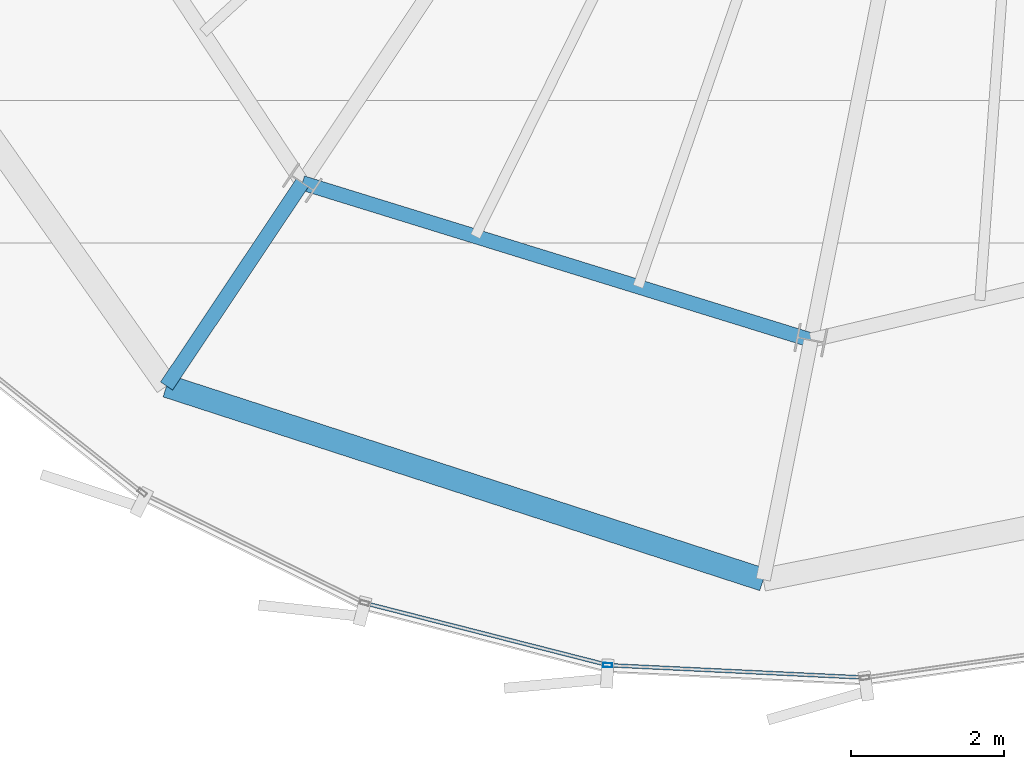
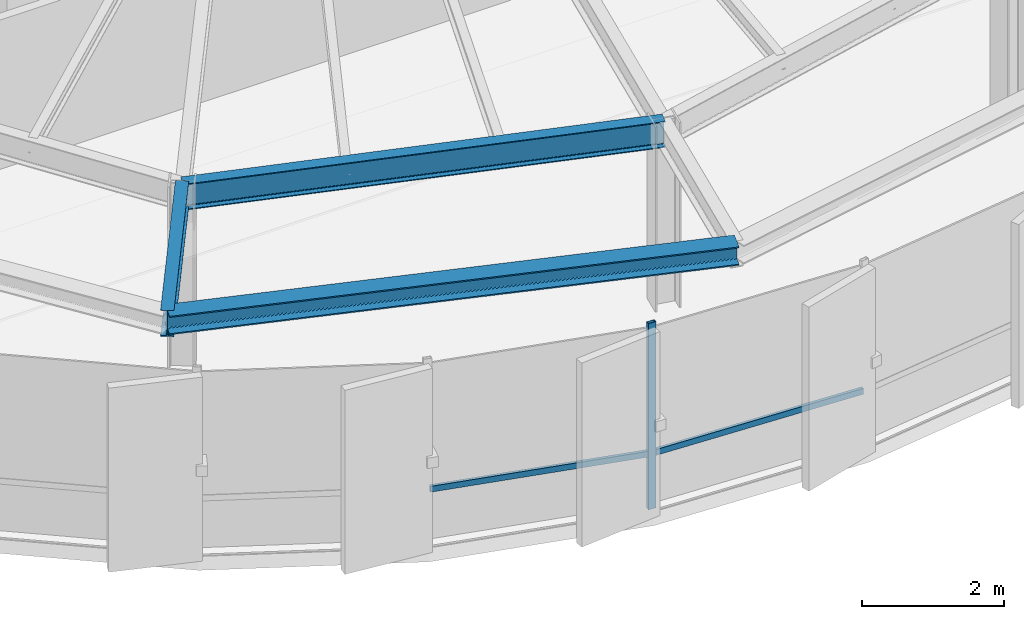
# One storey, part 3 of 33: 3 beams, 3 members, 1 element without a shape of its own.
"""IFC4 building model written with IfcOpenShell, lengths in metres."""

from ifc_helpers import new_model, si_unit, direction, frame, origin, origin_2d, place, context, subcontext, project, spatial, hollow_rectangle, i_section, extrude, source, transform, mapped, material, layer, layer_set, material_profile, profile_set, type_object, element, aggregate, save


model = new_model("IFC4")

# Units and contexts
model_context = context("Model", 3, precision=1e-05, world=origin(), true_north=direction((0.0, 1.0)))
body_context = subcontext(model_context, "Body", "Model", "MODEL_VIEW")
ifc_project = project(units=[si_unit("LENGTHUNIT", "METRE"), si_unit("AREAUNIT", "SQUARE_METRE"), si_unit("VOLUMEUNIT", "CUBIC_METRE"), si_unit("PLANEANGLEUNIT", "RADIAN"), si_unit("MASSUNIT", "GRAM", prefix="KILO"), si_unit("THERMODYNAMICTEMPERATUREUNIT", "KELVIN")], contexts=[model_context])

# Site, building, storey
site_placement = place(None, origin())
site = spatial("IfcSite", under=ifc_project, at=site_placement, CompositionType="ELEMENT")
building_placement = place(site_placement, origin())
building = spatial("IfcBuilding", under=site, at=building_placement, Name="Kethvar Cultural Tower", CompositionType="ELEMENT")
storey_placement = place(building_placement, frame((0.0, 0.0, 266.35009765625)))
storey = spatial("IfcBuildingStorey", under=building, at=storey_placement, Name="L70", CompositionType="ELEMENT", Elevation=266.35009765625)

# Beams
ifc_material_1 = material(Name="Steel S355J2", Category="steel")
ifc_material_profile_1 = material_profile(ifc_material_1, i_section(OverallWidth=0.18994140625, OverallDepth=0.449951171875, WebThickness=0.009521484375, FlangeThickness=0.0146484375, FilletRadius=0.02099609375, at=origin_2d()), Name="Steel S355J2 — IPE450")
ifc_profile_set_1 = profile_set([ifc_material_profile_1], Name="Steel S355J2 — IPE450")
beam_type_1 = type_object("IfcBeamType", Name="BM-IPE450", PredefinedType="BEAM", material=ifc_profile_set_1)
shared_shape_1 = source(origin(), body_context, "Body", "SweptSolid", [
    extrude(i_section(OverallWidth=0.18994140625, OverallDepth=0.449951171875, WebThickness=0.009521484375, FlangeThickness=0.0146484375, FilletRadius=0.02099609375, at=origin_2d()), origin(), (0.0, 0.0, 1.0), 3.199951171875),
])
beam_1_placement = place(storey_placement, frame((36.731201171875, 12.73095703125, 2.98291015625), z_axis=(-0.555580212716, -0.831462943996, 0.0), x_axis=(0.831462943996, -0.555580212716, 0.0)))
element("IfcBeam", 1, at=beam_1_placement, inside=storey, type_object=beam_type_1, Name="L70 Perimeter Cantilever Beam RC-11", PredefinedType="BEAM", context=body_context, shape_type="MappedRepresentation", body=[
    mapped(shared_shape_1, transform((0.0, 0.0, 0.0), scale=1.0)),
])
shared_shape_2 = source(origin(), body_context, "Body", "SweptSolid", [
    extrude(i_section(OverallWidth=0.18994140625, OverallDepth=0.449951171875, WebThickness=0.009521484375, FlangeThickness=0.0146484375, FilletRadius=0.02099609375, at=origin_2d()), origin(), (0.0, 0.0, 1.0), 6.97265625),
])
beam_2_placement = place(storey_placement, frame((36.731201171875, 12.73095703125, 2.98291015625), z_axis=(0.955381444404, -0.295374839295, 0.0), x_axis=(0.295374839295, 0.955381444404, 0.0)))
element("IfcBeam", 2, at=beam_2_placement, inside=storey, type_object=beam_type_1, Name="L70 Column Ring Tie Beam CR-11", PredefinedType="BEAM", context=body_context, shape_type="MappedRepresentation", body=[
    mapped(shared_shape_2, transform((0.0, 0.0, 0.0), scale=1.0)),
])
ifc_material_profile_2 = material_profile(ifc_material_1, i_section(OverallWidth=0.300048828125, OverallDepth=0.320068359375, WebThickness=0.011474609375, FlangeThickness=0.0205078125, FilletRadius=0.027099609375, at=origin_2d()), Name="Steel S355J2 — HEB320")
ifc_profile_set_2 = profile_set([ifc_material_profile_2], Name="Steel S355J2 — HEB320")
beam_type_2 = type_object("IfcBeamType", Name="BM-SP320", PredefinedType="SPANDREL", material=ifc_profile_set_2)
shared_shape_3 = source(origin(), body_context, "Body", "SweptSolid", [
    extrude(i_section(OverallWidth=0.300048828125, OverallDepth=0.320068359375, WebThickness=0.011474609375, FlangeThickness=0.0205078125, FilletRadius=0.027099609375, at=origin_2d()), origin(), (0.0, 0.0, 1.0), 8.216796875),
])
beam_3_placement = place(storey_placement, frame((34.953369140625, 10.0703125, 3.0478515625), z_axis=(0.951117661456, -0.30882874553, 0.0), x_axis=(0.30882874553, 0.951117661456, 0.0)))
element("IfcBeam", 3, at=beam_3_placement, inside=storey, type_object=beam_type_2, Name="L70 Perimeter Spandrel Beam SP-11", PredefinedType="SPANDREL", context=body_context, shape_type="MappedRepresentation", body=[
    mapped(shared_shape_3, transform((0.0, 0.0, 0.0), scale=1.0)),
])

# Curtain wall, members
ifc_material_2 = material(Name="Aluminium 6063-T6", Category="aluminium")
ifc_layer = layer(ifc_material_2, 0.179931640625, Name="Aluminium 6063-T6", Category="aluminium")
ifc_layer_set = layer_set([ifc_layer], Name="Aluminium 6063-T6 (180 mm)")
curtain_wall_type = type_object("IfcCurtainWallType", Name="CW-SYS-05-Z56", PredefinedType="NOTDEFINED", material=ifc_layer_set)
curtain_wall_placement = place(storey_placement, origin())
curtain_wall = element("IfcCurtainWall", 4, at=curtain_wall_placement, inside=storey, type_object=curtain_wall_type, Name="L70 Curtain Wall Run 04", PredefinedType="NOTDEFINED")
ifc_material_profile_3 = material_profile(ifc_material_2, hollow_rectangle(XDim=0.054931640625, YDim=0.1201171875, WallThickness=0.00390625, at=origin_2d()), Name="Aluminium 6063-T6 — RHS120x55x4")
ifc_profile_set_3 = profile_set([ifc_material_profile_3], Name="Aluminium 6063-T6 — RHS120x55x4")
member_type_1 = type_object("IfcMemberType", Name="CW-SYS-05-Z56-MUL", PredefinedType="MULLION", material=ifc_profile_set_3)
shared_shape_4 = source(origin(), body_context, "Body", "SweptSolid", [
    extrude(hollow_rectangle(XDim=0.054931640625, YDim=0.1201171875, WallThickness=0.00390625, at=origin_2d()), origin(), (0.0, 0.0, 1.0), 3.2099609375),
])
member_1_placement = place(storey_placement, frame((40.73046875, 6.413818359375, 0.0), z_axis=(0.0, 0.0, 1.0), x_axis=(0.048291923624, 0.99883326442, 0.0)))
member_1 = element("IfcMember", 5, at=member_1_placement, type_object=member_type_1, Name="CW-L70-R04 Mullion 3", PredefinedType="MULLION", context=body_context, shape_type="MappedRepresentation", body=[
    mapped(shared_shape_4, transform((0.0, 0.0, 0.0), scale=1.0)),
])
ifc_material_profile_4 = material_profile(ifc_material_2, hollow_rectangle(XDim=0.050048828125, YDim=0.10009765625, WallThickness=0.00390625, at=origin_2d()), Name="Aluminium 6063-T6 — RHS100x50x4")
ifc_profile_set_4 = profile_set([ifc_material_profile_4], Name="Aluminium 6063-T6 — RHS100x50x4")
member_type_2 = type_object("IfcMemberType", Name="CW-SYS-05-Z56-TRN", PredefinedType="USERDEFINED", material=ifc_profile_set_4)
shared_shape_5 = source(origin(), body_context, "Body", "SweptSolid", [
    extrude(hollow_rectangle(XDim=0.050048828125, YDim=0.10009765625, WallThickness=0.00390625, at=origin_2d()), origin(), (0.0, 0.0, 1.0), 3.313232421875),
])
member_2_placement = place(storey_placement, frame((40.77001953125, 6.411865234375, 0.949951171875), z_axis=(0.998834549531, -0.048265336034, 0.0), x_axis=(0.048265336034, 0.998834549531, 0.0)))
member_2 = element("IfcMember", 6, at=member_2_placement, type_object=member_type_2, Name="CW-L70-R04 Transom 3", ObjectType="TRANSOM", PredefinedType="USERDEFINED", context=body_context, shape_type="MappedRepresentation", body=[
    mapped(shared_shape_5, transform((0.0, 0.0, 0.0), scale=1.0)),
])
shared_shape_6 = source(origin(), body_context, "Body", "SweptSolid", [
    extrude(hollow_rectangle(XDim=0.050048828125, YDim=0.10009765625, WallThickness=0.00390625, at=origin_2d()), origin(), (0.0, 0.0, 1.0), 3.22705078125),
])
member_3_placement = place(storey_placement, frame((37.584716796875, 7.217529296875, 0.949951171875), z_axis=(0.969033350059, -0.246929881692, 0.0), x_axis=(0.246929881692, 0.969033350059, 0.0)))
member_3 = element("IfcMember", 7, at=member_3_placement, type_object=member_type_2, Name="CW-L70-R04 Transom 2", ObjectType="TRANSOM", PredefinedType="USERDEFINED", context=body_context, shape_type="MappedRepresentation", body=[
    mapped(shared_shape_6, transform((0.0, 0.0, 0.0), scale=1.0)),
])
aggregate(curtain_wall, [member_1, member_3, member_2])

save(model, "model.ifc")
